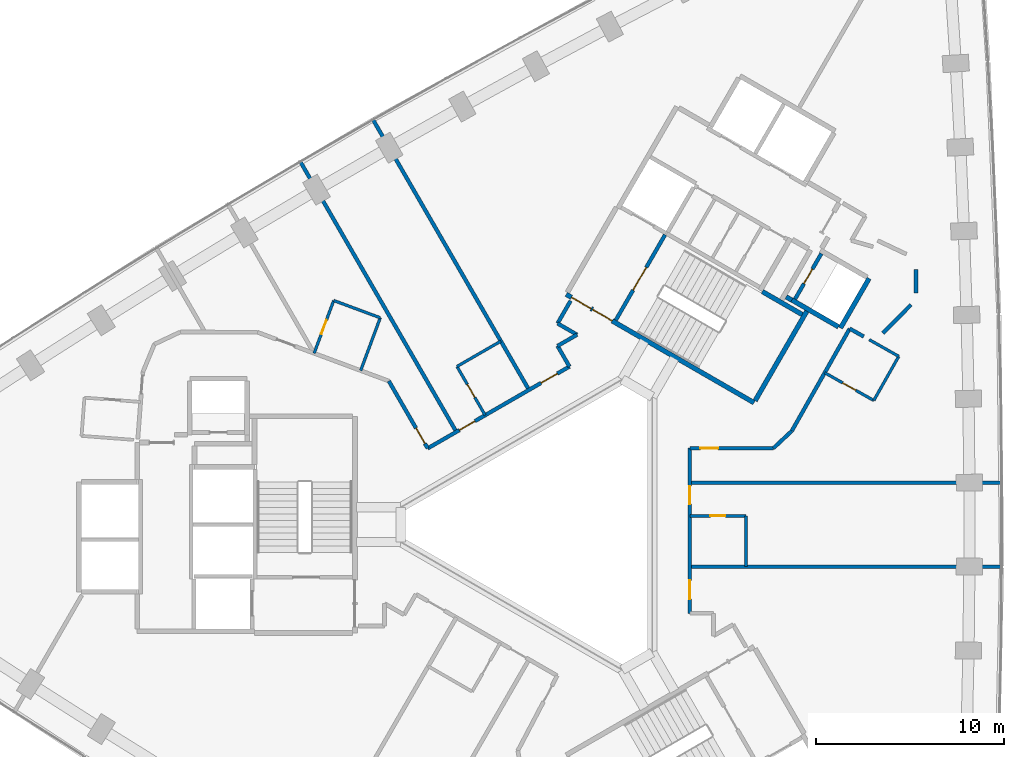
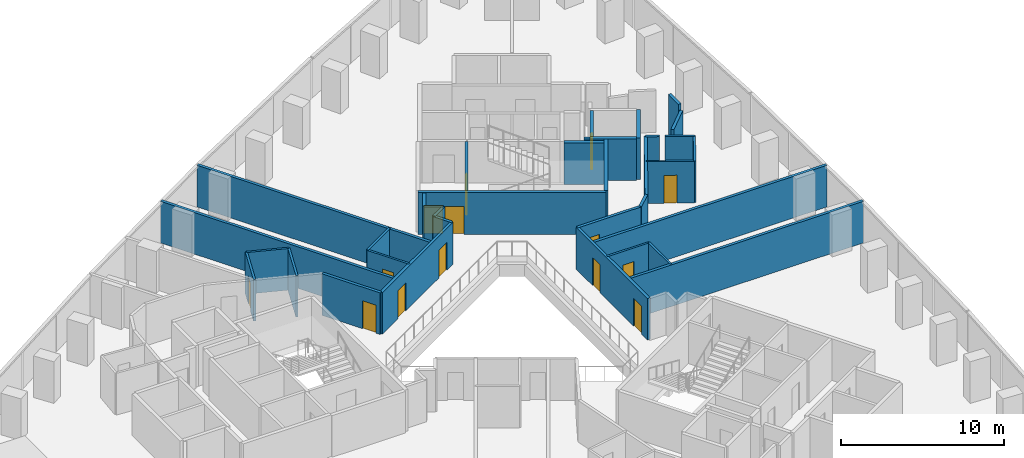
# One storey, part 10 of 13: 35 walls, 14 doors, 14 openings.
"""IFC4 building model written with IfcOpenShell, lengths in metres."""

import ifcopenshell
import ifcopenshell.guid

model = None  # the IFC model being written
_history = None  # IfcOwnerHistory: only IFC2X3 demands one
_inside = {}  # id of a spatial element -> (the spatial element, [elements in it])
_under = {}  # id of a project, library or spatial element -> (it, [spatial elements below it])
_declared = {}  # id of a project -> (the project, [libraries it declares])
_typed = {}  # id of a type object -> (the type object, [elements of that type])
_made_of = {}  # id of a material, layer set ... -> (it, [elements and type objects made of it])


def new_model(schema):
    """Start an empty IFC model of exactly this schema.

    Asked for "IFC4X3", IfcOpenShell would pick the latest addendum, in which some entities
    have other attributes; the version numbers below select the first issue.
    IFC2X3 requires an IfcOwnerHistory on every rooted entity: one is made here for all.
    """
    global model, _history
    if schema == "IFC4X3":
        model = ifcopenshell.file(schema_version=(4, 3, 0, 0))
    else:
        model = ifcopenshell.file(schema=schema)
    _inside.clear()
    _under.clear()
    _declared.clear()
    _typed.clear()
    _made_of.clear()
    _history = None
    if model.schema == "IFC2X3":
        org = make("IfcOrganization", Name="unknown")
        user = make(
            "IfcPersonAndOrganization",
            ThePerson=make("IfcPerson", FamilyName="unknown"),
            TheOrganization=org,
        )
        app = make(
            "IfcApplication",
            ApplicationDeveloper=org,
            Version="unknown",
            ApplicationFullName="unknown",
            ApplicationIdentifier="unknown",
        )
        _history = make(
            "IfcOwnerHistory",
            OwningUser=user,
            OwningApplication=app,
            ChangeAction="ADDED",
            CreationDate=0,
        )
    return model


def make(cls, **values):
    """One entity of the class cls with the attributes given. An attribute that is None is left unset."""
    return model.create_entity(
        cls, **{name: value for name, value in values.items() if value is not None}
    )


def rooted(cls, **values):
    """An entity with a GlobalId (a new one), such as an element, a storey or a relation."""
    return make(cls, GlobalId=ifcopenshell.guid.new(), OwnerHistory=_history, **values)


def si_unit(unit_type, name, prefix=None):
    """IfcSIUnit, for example si_unit("LENGTHUNIT", "METRE", prefix="MILLI")."""
    return make("IfcSIUnit", UnitType=unit_type, Prefix=prefix, Name=name)


def assignment(units):
    """IfcUnitAssignment: the units of a project."""
    return None if units is None else make("IfcUnitAssignment", Units=units)


def point(xyz):
    """IfcCartesianPoint."""
    return None if xyz is None else make("IfcCartesianPoint", Coordinates=xyz)


def direction(xyz):
    """IfcDirection."""
    return None if xyz is None else make("IfcDirection", DirectionRatios=xyz)


def frame(location, z_axis=None, x_axis=None):
    """IfcAxis2Placement3D, a coordinate frame: its origin and axes. An axis left out is left unset."""
    return make(
        "IfcAxis2Placement3D",
        Location=point(location),
        Axis=direction(z_axis),
        RefDirection=direction(x_axis),
    )


def frame_2d(location, x_axis=None):
    """IfcAxis2Placement2D, a coordinate frame in the plane: its origin and x axis."""
    return make(
        "IfcAxis2Placement2D", Location=point(location), RefDirection=direction(x_axis)
    )


def origin():
    """The frame at (0, 0, 0) with its axes left unset."""
    return frame((0.0, 0.0, 0.0))


def place(relative_to, where):
    """IfcLocalPlacement: puts the frame where relative to a parent placement (None: the world)."""
    return make(
        "IfcLocalPlacement", PlacementRelTo=relative_to, RelativePlacement=where
    )


def context(
    kind, dimensions, precision=None, world=None, true_north=None, identifier=None
):
    """IfcGeometricRepresentationContext, for example the 3D "Model" context."""
    return make(
        "IfcGeometricRepresentationContext",
        ContextIdentifier=identifier,
        ContextType=kind,
        CoordinateSpaceDimension=dimensions,
        Precision=precision,
        WorldCoordinateSystem=world,
        TrueNorth=true_north,
    )


def subcontext(parent, identifier, kind, view, scale=None):
    """IfcGeometricRepresentationSubContext, for example "Body" below "Model"."""
    return make(
        "IfcGeometricRepresentationSubContext",
        ContextIdentifier=identifier,
        ContextType=kind,
        ParentContext=parent,
        TargetScale=scale,
        TargetView=view,
    )


def project(units=None, contexts=None):
    """IfcProject with its units and contexts."""
    return rooted(
        "IfcProject",
        Name="project",
        RepresentationContexts=contexts,
        UnitsInContext=assignment(units),
    )


def spatial(cls, under=None, at=None, **own):
    """A site, building, storey or space (cls), placed at a placement, below another one or the project."""
    s = rooted(cls, ObjectPlacement=at, **own)
    if under is not None:
        _under.setdefault(under.id(), (under, []))[1].append(s)
    return s


def profile(cls, at=None, kind="AREA", **sizes):
    """A parametric profile (cls). Its sizes go by their IFC names, for example OverallWidth=200.0."""
    return make(cls, ProfileType=kind, Position=at, **sizes)


def rectangle(**sizes):
    """IfcRectangleProfileDef."""
    return profile("IfcRectangleProfileDef", **sizes)


def extrude(swept, where, along, depth):
    """IfcExtrudedAreaSolid: the profile swept, set in the frame where, extruded along a direction by depth."""
    return make(
        "IfcExtrudedAreaSolid",
        SweptArea=swept,
        Position=where,
        ExtrudedDirection=direction(along),
        Depth=depth,
    )


def shape(context_of_items, identifier, shape_type, items):
    """IfcShapeRepresentation: the items that make up one representation, for example the "Body"."""
    return make(
        "IfcShapeRepresentation",
        ContextOfItems=context_of_items,
        RepresentationIdentifier=identifier,
        RepresentationType=shape_type,
        Items=items,
    )


def material(Name=None, Category=None):
    """IfcMaterial."""
    return make("IfcMaterial", Name=Name, Category=Category)


def layer(
    of_material, thickness, ventilated=None, Name=None, Category=None, Priority=None
):
    """IfcMaterialLayer: one layer of a wall or slab, of a material (None: an air gap)."""
    return make(
        "IfcMaterialLayer",
        Material=of_material,
        LayerThickness=thickness,
        IsVentilated=ventilated,
        Name=Name,
        Category=Category,
        Priority=Priority,
    )


def layer_set(layers, Name=None):
    """IfcMaterialLayerSet."""
    return make("IfcMaterialLayerSet", MaterialLayers=layers, LayerSetName=Name)


def made_of(thing, what):
    """Note that an element or type object is made of a material, layer set ...; save() writes the relation."""
    if what is not None:
        _made_of.setdefault(what.id(), (what, []))[1].append(thing)
    return thing


def type_object(cls, material=None, **own):
    """A type object (cls), such as IfcWallType, which elements share."""
    return made_of(rooted(cls, **own), material)


def element(
    cls,
    number,
    at=None,
    inside=None,
    cuts=None,
    type_object=None,
    material=None,
    context=None,
    identifier="Body",
    shape_type=None,
    held_by="IfcProductDefinitionShape",
    body=None,
    shapes=None,
    **own,
):
    """One element of the class cls, such as IfcWall. Its Tag is "e" and its number.

    at: its placement. inside: the storey or other place that contains it. cuts: it is an
    opening in that element (IfcRelVoidsElement). A single representation is given by context,
    identifier, shape_type and body (its items); several are given by shapes. held_by: the class
    of the entity that holds the representations. save() writes the other relations.
    """
    e = rooted(cls, Tag="e%d" % number, ObjectPlacement=at, **own)
    if body is not None:
        shapes = [shape(context, identifier, shape_type, body)]
    if shapes is not None:
        e.Representation = make(held_by, Representations=shapes)
    if inside is not None:
        _inside.setdefault(inside.id(), (inside, []))[1].append(e)
    if cuts is not None:
        rooted(
            "IfcRelVoidsElement", RelatingBuildingElement=cuts, RelatedOpeningElement=e
        )
    if type_object is not None:
        _typed.setdefault(type_object.id(), (type_object, []))[1].append(e)
    return made_of(e, material)


def fill(opening, filler):
    """IfcRelFillsElement: the door or window that sits in an opening."""
    return rooted(
        "IfcRelFillsElement",
        RelatingOpeningElement=opening,
        RelatedBuildingElement=filler,
    )


def aggregate(whole, parts):
    """IfcRelAggregates: a whole, such as a stair, and the parts it consists of."""
    return rooted("IfcRelAggregates", RelatingObject=whole, RelatedObjects=parts)


def save(model, path):
    """Write the relations noted so far, then the file.

    IfcRelAggregates (storeys below a building ...), IfcRelContainedInSpatialStructure (elements
    in a storey), IfcRelDefinesByType, IfcRelAssociatesMaterial and IfcRelDeclares: one each for
    every whole, place, type object, material and project.
    """
    for whole, parts in _under.values():
        aggregate(whole, parts)
    for where, things in _inside.values():
        rooted(
            "IfcRelContainedInSpatialStructure",
            RelatedElements=things,
            RelatingStructure=where,
        )
    for kind, things in _typed.values():
        rooted("IfcRelDefinesByType", RelatedObjects=things, RelatingType=kind)
    for what, things in _made_of.values():
        rooted("IfcRelAssociatesMaterial", RelatedObjects=things, RelatingMaterial=what)
    for by, libraries in _declared.values():
        rooted("IfcRelDeclares", RelatingContext=by, RelatedDefinitions=libraries)
    model.write(path)


model = new_model("IFC4")

# Units and contexts
model_context = context("Model", 3, precision=1e-05, world=origin(), true_north=direction((0.0, 1.0)))
body_context = subcontext(model_context, "Body", "Model", "MODEL_VIEW")
ifc_project = project(units=[si_unit("LENGTHUNIT", "METRE"), si_unit("AREAUNIT", "SQUARE_METRE"), si_unit("VOLUMEUNIT", "CUBIC_METRE"), si_unit("PLANEANGLEUNIT", "RADIAN"), si_unit("MASSUNIT", "GRAM", prefix="KILO")], contexts=[model_context])

# Site, building, storey
site_placement = place(None, origin())
site = spatial("IfcSite", under=ifc_project, at=site_placement, CompositionType="ELEMENT")
building_placement = place(site_placement, origin())
building = spatial("IfcBuilding", under=site, at=building_placement, Name="Tamra Quay Hotel Tower", CompositionType="ELEMENT")
storey_placement = place(building_placement, frame((0.0, 0.0, 38.60009765625)))
storey = spatial("IfcBuildingStorey", under=building, at=storey_placement, Name="L07", CompositionType="ELEMENT", Elevation=38.60009765625)

# Wall, opening, door
ifc_material_1 = material(Name="Concrete M70", Category="concrete")
ifc_layer_1 = layer(ifc_material_1, 0.199951171875)
ifc_layer_set_1 = layer_set([ifc_layer_1], Name="Concrete M70 core wall 200")
wall_type_1 = type_object("IfcWallType", Name="Concrete M70 core wall 200", PredefinedType="SHEAR", material=ifc_layer_set_1)
wall_1_placement = place(storey_placement, frame((3.056640625, 10.89453125, 0.0), z_axis=(0.0, 0.0, 1.0), x_axis=(0.499989418164, 0.866031513124, 0.0)))
wall_1 = element("IfcWall", 1, at=wall_1_placement, inside=storey, type_object=wall_type_1, Name="CW2", PredefinedType="SHEAR", context=body_context, shape_type="SweptSolid", body=[
    extrude(rectangle(XDim=5.2509765625, YDim=0.199951171875, at=frame_2d((2.62548828125, 0.0))), origin(), (0.0, 0.0, 1.0), 3.125),
])
opening_1_placement = place(wall_1_placement, frame((1.84912109375, 0.0, 0.0)))
opening_1 = element("IfcOpeningElement", 2, at=opening_1_placement, cuts=wall_1, Name="Opening FD2", PredefinedType="OPENING", context=body_context, shape_type="SweptSolid", body=[
    extrude(rectangle(XDim=1.39990234375, YDim=2.10009765625, at=frame_2d((0.699951171875, 1.050048828125))), frame((0.0, 0.10986328125, 0.0), z_axis=(0.0, -1.0, 0.0), x_axis=(1.0, 0.0, 0.0)), (0.0, 0.0, 1.0), 0.219970703125),
])
ifc_material_2 = material(Name="Core door FD2 1400x2100 RH")
door_type_1 = type_object("IfcDoorType", Name="Core door FD2 1400x2100 RH", OperationType="NOTDEFINED", PredefinedType="DOOR", material=ifc_material_2)
door_1_placement = place(opening_1_placement, origin())
door_1 = element("IfcDoor", 3, at=door_1_placement, inside=storey, type_object=door_type_1, Name="FD2", OperationType="SINGLE_SWING_RIGHT", OverallHeight=2.10009765625, OverallWidth=1.39990234375, PredefinedType="DOOR", context=body_context, shape_type="SweptSolid", body=[
    extrude(rectangle(XDim=1.39990234375, YDim=2.10009765625, at=frame_2d((0.699951171875, 1.050048828125))), frame((0.0, 0.02490234375, 0.0), z_axis=(0.0, -1.0, 0.0), x_axis=(1.0, 0.0, 0.0)), (0.0, 0.0, 1.0), 0.050048828125),
])
fill(opening_1, door_1)

wall_2_placement = place(storey_placement, frame((14.0078125, 14.442138671875, 0.0), z_axis=(0.0, 0.0, 1.0), x_axis=(-0.499986818241, -0.866033014143, 0.0)))
wall_2 = element("IfcWall", 4, at=wall_2_placement, inside=storey, type_object=wall_type_1, Name="CW2", PredefinedType="SHEAR", context=body_context, shape_type="SweptSolid", body=[
    extrude(rectangle(XDim=2.7978515625, YDim=0.199951171875, at=frame_2d((1.39892578125, 0.0))), origin(), (0.0, 0.0, 1.0), 3.125),
])
opening_2_placement = place(wall_2_placement, frame((0.948974609375, 0.0, 0.0)))
opening_2 = element("IfcOpeningElement", 5, at=opening_2_placement, cuts=wall_2, Name="Opening D1", PredefinedType="OPENING", context=body_context, shape_type="SweptSolid", body=[
    extrude(rectangle(XDim=0.89990234375, YDim=2.10009765625, at=frame_2d((0.449951171875, 1.050048828125))), frame((0.0, 0.10986328125, 0.0), z_axis=(0.0, -1.0, 0.0), x_axis=(1.0, 0.0, 0.0)), (0.0, 0.0, 1.0), 0.219970703125),
])
ifc_material_3 = material(Name="Core door D1 900x2100 LH")
door_type_2 = type_object("IfcDoorType", Name="Core door D1 900x2100 LH", OperationType="NOTDEFINED", PredefinedType="DOOR", material=ifc_material_3)
door_2_placement = place(opening_2_placement, origin())
door_2 = element("IfcDoor", 6, at=door_2_placement, inside=storey, type_object=door_type_2, Name="D1", OperationType="SINGLE_SWING_LEFT", OverallHeight=2.10009765625, OverallWidth=0.89990234375, PredefinedType="DOOR", context=body_context, shape_type="SweptSolid", body=[
    extrude(rectangle(XDim=0.89990234375, YDim=2.10009765625, at=frame_2d((0.449951171875, 1.050048828125))), frame((0.0, 0.02490234375, 0.0), z_axis=(0.0, -1.0, 0.0), x_axis=(1.0, 0.0, 0.0)), (0.0, 0.0, 1.0), 0.050048828125),
])
fill(opening_2, door_2)

# Wall, openings, doors
ifc_layer_2 = layer(ifc_material_1, 0.25)
ifc_layer_set_2 = layer_set([ifc_layer_2], Name="Concrete M70 core wall 250")
wall_type_2 = type_object("IfcWallType", Name="Concrete M70 core wall 250", PredefinedType="SHEAR", material=ifc_layer_set_2)
wall_3_placement = place(storey_placement, frame((10.419921875, 6.497802734375, 0.0), z_axis=(0.0, 0.0, 1.0), x_axis=(-0.866021906294, 0.500006057782, 0.0)))
wall_3 = element("IfcWall", 7, at=wall_3_placement, inside=storey, type_object=wall_type_2, Name="CW1", PredefinedType="SHEAR", context=body_context, shape_type="SweptSolid", body=[
    extrude(rectangle(XDim=11.550048828125, YDim=0.25, at=frame_2d((5.77490234375, 0.0))), origin(), (0.0, 0.0, 1.0), 3.125),
])
opening_3_placement = place(wall_3_placement, frame((10.02490234375, 0.0, 0.0)))
opening_3 = element("IfcOpeningElement", 8, at=opening_3_placement, cuts=wall_3, Name="Opening FD1", PredefinedType="OPENING", context=body_context, shape_type="SweptSolid", body=[
    extrude(rectangle(XDim=1.199951171875, YDim=2.10009765625, at=frame_2d((0.60009765625, 1.050048828125))), frame((0.0, 0.135009765625, 0.0), z_axis=(0.0, -1.0, 0.0), x_axis=(1.0, 0.0, 0.0)), (0.0, 0.0, 1.0), 0.27001953125),
])
opening_4_placement = place(wall_3_placement, frame((8.724853515625, 0.0, 0.0)))
opening_4 = element("IfcOpeningElement", 9, at=opening_4_placement, cuts=wall_3, Name="Opening FD1", PredefinedType="OPENING", context=body_context, shape_type="SweptSolid", body=[
    extrude(rectangle(XDim=1.199951171875, YDim=2.10009765625, at=frame_2d((0.60009765625, 1.050048828125))), frame((0.0, 0.135009765625, 0.0), z_axis=(0.0, -1.0, 0.0), x_axis=(1.0, 0.0, 0.0)), (0.0, 0.0, 1.0), 0.27001953125),
])
ifc_material_4 = material(Name="Core door FD1 1200x2100 LH")
door_type_3 = type_object("IfcDoorType", Name="Core door FD1 1200x2100 LH", OperationType="NOTDEFINED", PredefinedType="DOOR", material=ifc_material_4)
door_3_placement = place(opening_3_placement, origin())
door_3 = element("IfcDoor", 10, at=door_3_placement, inside=storey, type_object=door_type_3, Name="FD1", OperationType="SINGLE_SWING_LEFT", OverallHeight=2.10009765625, OverallWidth=1.199951171875, PredefinedType="DOOR", context=body_context, shape_type="SweptSolid", body=[
    extrude(rectangle(XDim=1.199951171875, YDim=2.10009765625, at=frame_2d((0.60009765625, 1.050048828125))), frame((0.0, 0.02490234375, 0.0), z_axis=(0.0, -1.0, 0.0), x_axis=(1.0, 0.0, 0.0)), (0.0, 0.0, 1.0), 0.050048828125),
])
fill(opening_3, door_3)
ifc_material_5 = material(Name="Core door FD1 1200x2100 RH")
door_type_4 = type_object("IfcDoorType", Name="Core door FD1 1200x2100 RH", OperationType="NOTDEFINED", PredefinedType="DOOR", material=ifc_material_5)
door_4_placement = place(opening_4_placement, origin())
door_4 = element("IfcDoor", 11, at=door_4_placement, inside=storey, type_object=door_type_4, Name="FD1", OperationType="SINGLE_SWING_RIGHT", OverallHeight=2.10009765625, OverallWidth=1.199951171875, PredefinedType="DOOR", context=body_context, shape_type="SweptSolid", body=[
    extrude(rectangle(XDim=1.199951171875, YDim=2.10009765625, at=frame_2d((0.60009765625, 1.050048828125))), frame((0.0, 0.02490234375, 0.0), z_axis=(0.0, -1.0, 0.0), x_axis=(1.0, 0.0, 0.0)), (0.0, 0.0, 1.0), 0.050048828125),
])
fill(opening_4, door_4)

# Walls
wall_4_placement = place(storey_placement, frame((13.237548828125, 11.3779296875, 0.0), z_axis=(0.0, 0.0, 1.0), x_axis=(-0.500008851346, -0.866020293397, 0.0)))
element("IfcWall", 12, at=wall_4_placement, inside=storey, type_object=wall_type_2, Name="CW1", PredefinedType="SHEAR", context=body_context, shape_type="SweptSolid", body=[
    extrude(rectangle(XDim=5.509765625, YDim=0.25, at=frame_2d((2.7548828125, 0.0))), origin(), (0.0, 0.0, 1.0), 3.125),
])
wall_5_placement = place(storey_placement, frame((16.552001953125, 13.118896484375, 0.0), z_axis=(0.0, 0.0, 1.0), x_axis=(-0.499978833458, -0.866037623948, 0.0)))
element("IfcWall", 13, at=wall_5_placement, inside=storey, type_object=wall_type_2, Name="CW1", PredefinedType="SHEAR", context=body_context, shape_type="SweptSolid", body=[
    extrude(rectangle(XDim=3.050048828125, YDim=0.25, at=frame_2d((1.52490234375, 0.0))), origin(), (0.0, 0.0, 1.0), 3.125),
])
wall_6_placement = place(storey_placement, frame((14.91845703125, 10.540283203125, 0.0), z_axis=(0.0, 0.0, 1.0), x_axis=(-0.866063538972, 0.499933942099, 0.0)))
element("IfcWall", 14, at=wall_6_placement, inside=storey, type_object=wall_type_2, Name="CW1", PredefinedType="SHEAR", context=body_context, shape_type="SweptSolid", body=[
    extrude(rectangle(XDim=2.86474609375, YDim=0.25, at=frame_2d((1.432373046875, 0.0))), origin(), (0.0, 0.0, 1.0), 3.125),
])
wall_7_placement = place(storey_placement, frame((10.865234375, 12.41845703125, 0.0), z_axis=(0.0, 0.0, 1.0), x_axis=(0.866026229868, -0.499998569178, 0.0)))
element("IfcWall", 15, at=wall_7_placement, inside=storey, type_object=wall_type_2, Name="CW1", PredefinedType="SHEAR", context=body_context, shape_type="SweptSolid", body=[
    extrude(rectangle(XDim=2.44921875, YDim=0.25, at=frame_2d((1.224609375, 0.0))), origin(), (0.0, 0.0, 1.0), 3.125),
])
wall_8_placement = place(storey_placement, frame((12.4326171875, 11.9638671875, 0.0), z_axis=(0.0, 0.0, 1.0), x_axis=(-0.866055875208, 0.499947218231, 0.0)))
element("IfcWall", 16, at=wall_8_placement, inside=storey, type_object=wall_type_2, Name="CW1", PredefinedType="SHEAR", context=body_context, shape_type="SweptSolid", body=[
    extrude(rectangle(XDim=0.3447265625, YDim=0.25, at=frame_2d((0.17236328125, 0.0))), origin(), (0.0, 0.0, 1.0), 3.125),
])

# Wall, opening, door
ifc_material_6 = material(Name="Partition corridor wall")
ifc_layer_3 = layer(ifc_material_6, 0.199951171875)
ifc_layer_set_3 = layer_set([ifc_layer_3], Name="Partition corridor wall")
wall_type_3 = type_object("IfcWallType", Name="Partition corridor wall", PredefinedType="PARTITIONING", material=ifc_layer_set_3)
wall_9_placement = place(storey_placement, frame((-9.032958984375, 7.652099609375, 0.0), z_axis=(0.0, 0.0, 1.0), x_axis=(0.500074377092, -0.865982457891, 0.0)))
wall_9 = element("IfcWall", 17, at=wall_9_placement, inside=storey, type_object=wall_type_3, Name="W-C", PredefinedType="PARTITIONING", context=body_context, shape_type="SweptSolid", body=[
    extrude(rectangle(XDim=4.143310546875, YDim=0.199951171875, at=frame_2d((2.07177734375, 0.0))), origin(), (0.0, 0.0, 1.0), 3.125),
])
opening_5_placement = place(wall_9_placement, frame((2.895263671875, 0.0, 0.0)))
opening_5 = element("IfcOpeningElement", 18, at=opening_5_placement, cuts=wall_9, Name="Opening L07-D009", PredefinedType="OPENING", context=body_context, shape_type="SweptSolid", body=[
    extrude(rectangle(XDim=0.949951171875, YDim=2.10009765625, at=frame_2d((0.47509765625, 1.050048828125))), frame((0.0, 0.10986328125, 0.0), z_axis=(0.0, -1.0, 0.0), x_axis=(1.0, 0.0, 0.0)), (0.0, 0.0, 1.0), 0.219970703125),
])
ifc_material_7 = material(Name="Door guest room 950x2100")
door_type_5 = type_object("IfcDoorType", Name="Door guest room 950x2100", OperationType="NOTDEFINED", PredefinedType="DOOR", material=ifc_material_7)
door_5_placement = place(opening_5_placement, frame((0.949951171875, 0.0, 0.0), z_axis=(0.0, 0.0, 1.0), x_axis=(-1.0, 0.0, 0.0)))
door_5 = element("IfcDoor", 19, at=door_5_placement, inside=storey, type_object=door_type_5, Name="L07-D009", OperationType="SINGLE_SWING_LEFT", OverallHeight=2.10009765625, OverallWidth=0.949951171875, PredefinedType="DOOR", context=body_context, shape_type="SweptSolid", body=[
    extrude(rectangle(XDim=0.949951171875, YDim=2.10009765625, at=frame_2d((0.47509765625, 1.050048828125))), frame((0.0, 0.02490234375, 0.0), z_axis=(0.0, -1.0, 0.0), x_axis=(1.0, 0.0, 0.0)), (0.0, 0.0, 1.0), 0.050048828125),
])
fill(opening_5, door_5)

# Wall, openings, doors
wall_10_placement = place(storey_placement, frame((-6.961669921875, 4.06494140625, 0.0), z_axis=(0.0, 0.0, 1.0), x_axis=(0.866089531713, 0.499888910716, 0.0)))
wall_10 = element("IfcWall", 20, at=wall_10_placement, inside=storey, type_object=wall_type_3, Name="W-C", PredefinedType="PARTITIONING", context=body_context, shape_type="SweptSolid", body=[
    extrude(rectangle(XDim=8.71826171875, YDim=0.199951171875, at=frame_2d((4.359130859375, 0.0))), origin(), (0.0, 0.0, 1.0), 3.125),
])
opening_6_placement = place(wall_10_placement, frame((6.96875, 0.0, 0.0)))
opening_6 = element("IfcOpeningElement", 21, at=opening_6_placement, cuts=wall_10, Name="Opening L07-D006", PredefinedType="OPENING", context=body_context, shape_type="SweptSolid", body=[
    extrude(rectangle(XDim=1.0, YDim=2.10009765625, at=frame_2d((0.5, 1.050048828125))), frame((0.0, 0.10986328125, 0.0), z_axis=(0.0, -1.0, 0.0), x_axis=(1.0, 0.0, 0.0)), (0.0, 0.0, 1.0), 0.219970703125),
])
opening_7_placement = place(wall_10_placement, frame((1.949462890625, 0.0, 0.0)))
opening_7 = element("IfcOpeningElement", 22, at=opening_7_placement, cuts=wall_10, Name="Opening L07-D007", PredefinedType="OPENING", context=body_context, shape_type="SweptSolid", body=[
    extrude(rectangle(XDim=0.949951171875, YDim=2.10009765625, at=frame_2d((0.47509765625, 1.050048828125))), frame((0.0, 0.10986328125, 0.0), z_axis=(0.0, -1.0, 0.0), x_axis=(1.0, 0.0, 0.0)), (0.0, 0.0, 1.0), 0.219970703125),
])
ifc_material_8 = material(Name="Door guest room 1000x2100")
door_type_6 = type_object("IfcDoorType", Name="Door guest room 1000x2100", OperationType="NOTDEFINED", PredefinedType="DOOR", material=ifc_material_8)
door_6_placement = place(opening_6_placement, origin())
door_6 = element("IfcDoor", 23, at=door_6_placement, inside=storey, type_object=door_type_6, Name="L07-D006", OperationType="SINGLE_SWING_LEFT", OverallHeight=2.10009765625, OverallWidth=1.0, PredefinedType="DOOR", context=body_context, shape_type="SweptSolid", body=[
    extrude(rectangle(XDim=1.0, YDim=2.10009765625, at=frame_2d((0.5, 1.050048828125))), frame((0.0, 0.02490234375, 0.0), z_axis=(0.0, -1.0, 0.0), x_axis=(1.0, 0.0, 0.0)), (0.0, 0.0, 1.0), 0.050048828125),
])
fill(opening_6, door_6)
door_7_placement = place(opening_7_placement, origin())
door_7 = element("IfcDoor", 24, at=door_7_placement, inside=storey, type_object=door_type_5, Name="L07-D007", OperationType="SINGLE_SWING_LEFT", OverallHeight=2.10009765625, OverallWidth=0.949951171875, PredefinedType="DOOR", context=body_context, shape_type="SweptSolid", body=[
    extrude(rectangle(XDim=0.949951171875, YDim=2.10009765625, at=frame_2d((0.47509765625, 1.050048828125))), frame((0.0, 0.02490234375, 0.0), z_axis=(0.0, -1.0, 0.0), x_axis=(1.0, 0.0, 0.0)), (0.0, 0.0, 1.0), 0.050048828125),
])
fill(opening_7, door_7)

# Walls
wall_11_placement = place(storey_placement, frame((-0.044921875, 9.52197265625, 0.0), z_axis=(0.0, 0.0, 1.0), x_axis=(0.86625675314, 0.499599076899, 0.0)))
element("IfcWall", 25, at=wall_11_placement, inside=storey, type_object=wall_type_3, Name="W-C", PredefinedType="PARTITIONING", context=body_context, shape_type="SweptSolid", body=[
    extrude(rectangle(XDim=1.19921875, YDim=0.199951171875, at=frame_2d((0.599609375, 0.0))), origin(), (0.0, 0.0, 1.0), 3.125),
])
wall_12_placement = place(storey_placement, frame((-0.044921875, 10.721923828125, 0.0), z_axis=(0.0, 0.0, 1.0), x_axis=(0.500107785535, 0.865963164833, 0.0)))
element("IfcWall", 26, at=wall_12_placement, inside=storey, type_object=wall_type_3, Name="W-C", PredefinedType="PARTITIONING", context=body_context, shape_type="SweptSolid", body=[
    extrude(rectangle(XDim=1.389404296875, YDim=0.199951171875, at=frame_2d((0.69482421875, 0.0))), origin(), (0.0, 0.0, 1.0), 3.125),
])
wall_13_placement = place(storey_placement, frame((-0.044921875, 9.52099609375, 0.0), z_axis=(0.0, 0.0, 1.0), x_axis=(0.500094716449, -0.865970712311, 0.0)))
element("IfcWall", 27, at=wall_13_placement, inside=storey, type_object=wall_type_3, Name="W-C", PredefinedType="PARTITIONING", context=body_context, shape_type="SweptSolid", body=[
    extrude(rectangle(XDim=1.267822265625, YDim=0.199951171875, at=frame_2d((0.6337890625, 0.0))), origin(), (0.0, 0.0, 1.0), 3.125),
])
wall_14_placement = place(storey_placement, frame((-0.044921875, 10.720947265625, 0.0), z_axis=(0.0, 0.0, 1.0), x_axis=(0.865992388649, -0.500057179532, 0.0)))
element("IfcWall", 28, at=wall_14_placement, inside=storey, type_object=wall_type_3, Name="W-C", PredefinedType="PARTITIONING", context=body_context, shape_type="SweptSolid", body=[
    extrude(rectangle(XDim=1.199462890625, YDim=0.199951171875, at=frame_2d((0.599609375, 0.0))), origin(), (0.0, 0.0, 1.0), 3.125),
])

# Wall, openings, doors
wall_15_placement = place(storey_placement, frame((7.0, -4.720947265625, 0.0), z_axis=(0.0, 0.0, 1.0), x_axis=(0.0, 1.0, 0.0)))
wall_15 = element("IfcWall", 29, at=wall_15_placement, inside=storey, type_object=wall_type_3, Name="W-C", PredefinedType="PARTITIONING", context=body_context, shape_type="SweptSolid", body=[
    extrude(rectangle(XDim=8.798828125, YDim=0.199951171875, at=frame_2d((4.3994140625, 0.0))), origin(), (0.0, 0.0, 1.0), 3.125),
])
opening_8_placement = place(wall_15_placement, frame((0.7490234375, 0.0, 0.0)))
opening_8 = element("IfcOpeningElement", 30, at=opening_8_placement, cuts=wall_15, Name="Opening L07-D001", PredefinedType="OPENING", context=body_context, shape_type="SweptSolid", body=[
    extrude(rectangle(XDim=1.0, YDim=2.10009765625, at=frame_2d((0.5, 1.050048828125))), frame((0.0, 0.10986328125, 0.0), z_axis=(0.0, -1.0, 0.0), x_axis=(1.0, 0.0, 0.0)), (0.0, 0.0, 1.0), 0.219970703125),
])
opening_9_placement = place(wall_15_placement, frame((5.818115234375, 0.0, 0.0)))
opening_9 = element("IfcOpeningElement", 31, at=opening_9_placement, cuts=wall_15, Name="Opening L07-D002", PredefinedType="OPENING", context=body_context, shape_type="SweptSolid", body=[
    extrude(rectangle(XDim=0.949951171875, YDim=2.10009765625, at=frame_2d((0.47509765625, 1.050048828125))), frame((0.0, 0.10986328125, 0.0), z_axis=(0.0, -1.0, 0.0), x_axis=(1.0, 0.0, 0.0)), (0.0, 0.0, 1.0), 0.219970703125),
])
door_8_placement = place(opening_8_placement, frame((1.0, 0.0, 0.0), z_axis=(0.0, 0.0, 1.0), x_axis=(-1.0, 0.0, 0.0)))
door_8 = element("IfcDoor", 32, at=door_8_placement, inside=storey, type_object=door_type_6, Name="L07-D001", OperationType="SINGLE_SWING_LEFT", OverallHeight=2.10009765625, OverallWidth=1.0, PredefinedType="DOOR", context=body_context, shape_type="SweptSolid", body=[
    extrude(rectangle(XDim=1.0, YDim=2.10009765625, at=frame_2d((0.5, 1.050048828125))), frame((0.0, 0.02490234375, 0.0), z_axis=(0.0, -1.0, 0.0), x_axis=(1.0, 0.0, 0.0)), (0.0, 0.0, 1.0), 0.050048828125),
])
fill(opening_8, door_8)
door_9_placement = place(opening_9_placement, frame((0.949951171875, 0.0, 0.0), z_axis=(0.0, 0.0, 1.0), x_axis=(-1.0, 0.0, 0.0)))
door_9 = element("IfcDoor", 33, at=door_9_placement, inside=storey, type_object=door_type_5, Name="L07-D002", OperationType="SINGLE_SWING_LEFT", OverallHeight=2.10009765625, OverallWidth=0.949951171875, PredefinedType="DOOR", context=body_context, shape_type="SweptSolid", body=[
    extrude(rectangle(XDim=0.949951171875, YDim=2.10009765625, at=frame_2d((0.47509765625, 1.050048828125))), frame((0.0, 0.02490234375, 0.0), z_axis=(0.0, -1.0, 0.0), x_axis=(1.0, 0.0, 0.0)), (0.0, 0.0, 1.0), 0.050048828125),
])
fill(opening_9, door_9)

# Wall, opening, door
wall_16_placement = place(storey_placement, frame((7.0, 4.077880859375, 0.0), z_axis=(0.0, 0.0, 1.0), x_axis=(1.0, 0.0, 0.0)))
wall_16 = element("IfcWall", 34, at=wall_16_placement, inside=storey, type_object=wall_type_3, Name="W-C", PredefinedType="PARTITIONING", context=body_context, shape_type="SweptSolid", body=[
    extrude(rectangle(XDim=4.4580078125, YDim=0.199951171875, at=frame_2d((2.22900390625, 0.0))), origin(), (0.0, 0.0, 1.0), 3.125),
])
opening_10_placement = place(wall_16_placement, frame((0.55810546875, 0.0, 0.0)))
opening_10 = element("IfcOpeningElement", 35, at=opening_10_placement, cuts=wall_16, Name="Opening L07-D004", PredefinedType="OPENING", context=body_context, shape_type="SweptSolid", body=[
    extrude(rectangle(XDim=0.949951171875, YDim=2.10009765625, at=frame_2d((0.47509765625, 1.050048828125))), frame((0.0, 0.10986328125, 0.0), z_axis=(0.0, -1.0, 0.0), x_axis=(1.0, 0.0, 0.0)), (0.0, 0.0, 1.0), 0.219970703125),
])
door_10_placement = place(opening_10_placement, origin())
door_10 = element("IfcDoor", 36, at=door_10_placement, inside=storey, type_object=door_type_5, Name="L07-D004", OperationType="SINGLE_SWING_LEFT", OverallHeight=2.10009765625, OverallWidth=0.949951171875, PredefinedType="DOOR", context=body_context, shape_type="SweptSolid", body=[
    extrude(rectangle(XDim=0.949951171875, YDim=2.10009765625, at=frame_2d((0.47509765625, 1.050048828125))), frame((0.0, 0.02490234375, 0.0), z_axis=(0.0, -1.0, 0.0), x_axis=(1.0, 0.0, 0.0)), (0.0, 0.0, 1.0), 0.050048828125),
])
fill(opening_10, door_10)

# Walls
wall_17_placement = place(storey_placement, frame((11.4580078125, 4.077880859375, 0.0), z_axis=(0.0, 0.0, 1.0), x_axis=(0.729936032318, 0.683515463412, 0.0)))
element("IfcWall", 37, at=wall_17_placement, inside=storey, type_object=wall_type_3, Name="W-C", PredefinedType="PARTITIONING", context=body_context, shape_type="SweptSolid", body=[
    extrude(rectangle(XDim=1.3359375, YDim=0.199951171875, at=frame_2d((0.66796875, 0.0))), origin(), (0.0, 0.0, 1.0), 3.125),
])
wall_18_placement = place(storey_placement, frame((12.43310546875, 4.991943359375, 0.0), z_axis=(0.0, 0.0, 1.0), x_axis=(0.492575945335, 0.870269462912, 0.0)))
element("IfcWall", 38, at=wall_18_placement, inside=storey, type_object=wall_type_3, Name="W-C", PredefinedType="PARTITIONING", context=body_context, shape_type="SweptSolid", body=[
    extrude(rectangle(XDim=6.264892578125, YDim=0.199951171875, at=frame_2d((3.13232421875, 0.0))), origin(), (0.0, 0.0, 1.0), 3.125),
])
wall_19_placement = place(storey_placement, frame((15.51904296875, 10.444091796875, 0.0), z_axis=(0.0, 0.0, 1.0), x_axis=(0.870222202109, -0.492659435063, 0.0)))
element("IfcWall", 39, at=wall_19_placement, inside=storey, type_object=wall_type_3, Name="W-C", PredefinedType="PARTITIONING", context=body_context, shape_type="SweptSolid", body=[
    extrude(rectangle(XDim=0.854736328125, YDim=0.199951171875, at=frame_2d((0.42724609375, 0.0))), origin(), (0.0, 0.0, 1.0), 3.125),
])
wall_20_placement = place(storey_placement, frame((17.287109375, 10.212890625, 0.0), z_axis=(0.0, 0.0, 1.0), x_axis=(0.706819117262, 0.707394328132, 0.0)))
element("IfcWall", 40, at=wall_20_placement, inside=storey, type_object=wall_type_3, Name="W-C", PredefinedType="PARTITIONING", context=body_context, shape_type="SweptSolid", body=[
    extrude(rectangle(XDim=2.1220703125, YDim=0.199951171875, at=frame_2d((1.06103515625, 0.0))), origin(), (0.0, 0.0, 1.0), 3.125),
])
wall_21_placement = place(storey_placement, frame((19.050048828125, 12.34912109375, 0.0), z_axis=(0.0, 0.0, 1.0), x_axis=(0.0, 1.0, 0.0)))
element("IfcWall", 41, at=wall_21_placement, inside=storey, type_object=wall_type_3, Name="W-C", PredefinedType="PARTITIONING", context=body_context, shape_type="SweptSolid", body=[
    extrude(rectangle(XDim=1.25, YDim=0.199951171875, at=frame_2d((0.625, 0.0))), origin(), (0.0, 0.0, 1.0), 3.125),
])

# Wall, opening, door
ifc_material_9 = material(Name="Partition en-suite wall")
ifc_layer_4 = layer(ifc_material_9, 0.14990234375)
ifc_layer_set_4 = layer_set([ifc_layer_4], Name="Partition en-suite wall")
wall_type_4 = type_object("IfcWallType", Name="Partition en-suite wall", PredefinedType="PARTITIONING", material=ifc_layer_set_4)
wall_22_placement = place(storey_placement, frame((-13.012939453125, 9.12890625, 0.0), z_axis=(0.0, 0.0, 1.0), x_axis=(0.347929104424, 0.937520846859, 0.0)))
wall_22 = element("IfcWall", 42, at=wall_22_placement, inside=storey, type_object=wall_type_4, Name="W-E", PredefinedType="PARTITIONING", context=body_context, shape_type="SweptSolid", body=[
    extrude(rectangle(XDim=3.00048828125, YDim=0.14990234375, at=frame_2d((1.500244140625, 0.0))), origin(), (0.0, 0.0, 1.0), 3.125),
])
opening_11_placement = place(wall_22_placement, frame((1.10009765625, 0.0, 0.0)))
opening_11 = element("IfcOpeningElement", 43, at=opening_11_placement, cuts=wall_22, Name="Opening L07-D010", PredefinedType="OPENING", context=body_context, shape_type="SweptSolid", body=[
    extrude(rectangle(XDim=0.800048828125, YDim=2.10009765625, at=frame_2d((0.39990234375, 1.050048828125))), frame((0.0, 0.0849609375, 0.0), z_axis=(0.0, -1.0, 0.0), x_axis=(1.0, 0.0, 0.0)), (0.0, 0.0, 1.0), 0.169921875),
])
ifc_material_10 = material(Name="Door en-suite 800x2100")
door_type_7 = type_object("IfcDoorType", Name="Door en-suite 800x2100", OperationType="NOTDEFINED", PredefinedType="DOOR", material=ifc_material_10)
door_11_placement = place(opening_11_placement, origin())
door_11 = element("IfcDoor", 44, at=door_11_placement, inside=storey, type_object=door_type_7, Name="L07-D010", OperationType="SINGLE_SWING_LEFT", OverallHeight=2.10009765625, OverallWidth=0.800048828125, PredefinedType="DOOR", context=body_context, shape_type="SweptSolid", body=[
    extrude(rectangle(XDim=0.800048828125, YDim=2.10009765625, at=frame_2d((0.39990234375, 1.050048828125))), frame((0.0, 0.02490234375, 0.0), z_axis=(0.0, -1.0, 0.0), x_axis=(1.0, 0.0, 0.0)), (0.0, 0.0, 1.0), 0.050048828125),
])
fill(opening_11, door_11)

# Walls
wall_23_placement = place(storey_placement, frame((-11.968994140625, 11.94189453125, 0.0), z_axis=(0.0, 0.0, 1.0), x_axis=(0.93745453053, -0.348107746521, 0.0)))
element("IfcWall", 45, at=wall_23_placement, inside=storey, type_object=wall_type_4, Name="W-E", PredefinedType="PARTITIONING", context=body_context, shape_type="SweptSolid", body=[
    extrude(rectangle(XDim=2.6455078125, YDim=0.14990234375, at=frame_2d((1.32275390625, 0.0))), origin(), (0.0, 0.0, 1.0), 3.125),
])
wall_24_placement = place(storey_placement, frame((-10.532958984375, 8.208984375, 0.0), z_axis=(0.0, 0.0, 1.0), x_axis=(0.348035300423, 0.937481428968, 0.0)))
element("IfcWall", 46, at=wall_24_placement, inside=storey, type_object=wall_type_4, Name="W-E", PredefinedType="PARTITIONING", context=body_context, shape_type="SweptSolid", body=[
    extrude(rectangle(XDim=2.99951171875, YDim=0.14990234375, at=frame_2d((1.499755859375, 0.0))), origin(), (0.0, 0.0, 1.0), 3.125),
])
wall_25_placement = place(storey_placement, frame((-5.402099609375, 8.427978515625, 0.0), z_axis=(0.0, 0.0, 1.0), x_axis=(0.86599734893, 0.500048589285, 0.0)))
element("IfcWall", 47, at=wall_25_placement, inside=storey, type_object=wall_type_4, Name="W-E", PredefinedType="PARTITIONING", context=body_context, shape_type="SweptSolid", body=[
    extrude(rectangle(XDim=2.699951171875, YDim=0.14990234375, at=frame_2d((1.35009765625, 0.0))), origin(), (0.0, 0.0, 1.0), 3.125),
])

# Wall, opening, door
wall_26_placement = place(storey_placement, frame((-5.402099609375, 8.427978515625, 0.0), z_axis=(0.0, 0.0, 1.0), x_axis=(0.50002537861, -0.866010750942, 0.0)))
wall_26 = element("IfcWall", 48, at=wall_26_placement, inside=storey, type_object=wall_type_4, Name="W-E", PredefinedType="PARTITIONING", context=body_context, shape_type="SweptSolid", body=[
    extrude(rectangle(XDim=2.999755859375, YDim=0.14990234375, at=frame_2d((1.5, 0.0))), origin(), (0.0, 0.0, 1.0), 3.125),
])
opening_12_placement = place(wall_26_placement, frame((1.099609375, 0.0, 0.0)))
opening_12 = element("IfcOpeningElement", 49, at=opening_12_placement, cuts=wall_26, Name="Opening L07-D008", PredefinedType="OPENING", context=body_context, shape_type="SweptSolid", body=[
    extrude(rectangle(XDim=0.800048828125, YDim=2.10009765625, at=frame_2d((0.39990234375, 1.050048828125))), frame((0.0, 0.0849609375, 0.0), z_axis=(0.0, -1.0, 0.0), x_axis=(1.0, 0.0, 0.0)), (0.0, 0.0, 1.0), 0.169921875),
])
door_12_placement = place(opening_12_placement, origin())
door_12 = element("IfcDoor", 50, at=door_12_placement, inside=storey, type_object=door_type_7, Name="L07-D008", OperationType="SINGLE_SWING_LEFT", OverallHeight=2.10009765625, OverallWidth=0.800048828125, PredefinedType="DOOR", context=body_context, shape_type="SweptSolid", body=[
    extrude(rectangle(XDim=0.800048828125, YDim=2.10009765625, at=frame_2d((0.39990234375, 1.050048828125))), frame((0.0, 0.02490234375, 0.0), z_axis=(0.0, -1.0, 0.0), x_axis=(1.0, 0.0, 0.0)), (0.0, 0.0, 1.0), 0.050048828125),
])
fill(opening_12, door_12)

wall_27_placement = place(storey_placement, frame((7.0, 0.465087890625, 0.0), z_axis=(0.0, 0.0, 1.0), x_axis=(1.0, 0.0, 0.0)))
wall_27 = element("IfcWall", 51, at=wall_27_placement, inside=storey, type_object=wall_type_4, Name="W-E", PredefinedType="PARTITIONING", context=body_context, shape_type="SweptSolid", body=[
    extrude(rectangle(XDim=3.0, YDim=0.14990234375, at=frame_2d((1.5, 0.0))), origin(), (0.0, 0.0, 1.0), 3.125),
])
opening_13_placement = place(wall_27_placement, frame((1.10009765625, 0.0, 0.0)))
opening_13 = element("IfcOpeningElement", 52, at=opening_13_placement, cuts=wall_27, Name="Opening L07-D003", PredefinedType="OPENING", context=body_context, shape_type="SweptSolid", body=[
    extrude(rectangle(XDim=0.800048828125, YDim=2.10009765625, at=frame_2d((0.39990234375, 1.050048828125))), frame((0.0, 0.0849609375, 0.0), z_axis=(0.0, -1.0, 0.0), x_axis=(1.0, 0.0, 0.0)), (0.0, 0.0, 1.0), 0.169921875),
])
door_13_placement = place(opening_13_placement, frame((0.800048828125, 0.0, 0.0), z_axis=(0.0, 0.0, 1.0), x_axis=(-1.0, 0.0, 0.0)))
door_13 = element("IfcDoor", 53, at=door_13_placement, inside=storey, type_object=door_type_7, Name="L07-D003", OperationType="SINGLE_SWING_LEFT", OverallHeight=2.10009765625, OverallWidth=0.800048828125, PredefinedType="DOOR", context=body_context, shape_type="SweptSolid", body=[
    extrude(rectangle(XDim=0.800048828125, YDim=2.10009765625, at=frame_2d((0.39990234375, 1.050048828125))), frame((0.0, 0.02490234375, 0.0), z_axis=(0.0, -1.0, 0.0), x_axis=(1.0, 0.0, 0.0)), (0.0, 0.0, 1.0), 0.050048828125),
])
fill(opening_13, door_13)

# Wall
wall_28_placement = place(storey_placement, frame((10.0, -2.235107421875, 0.0), z_axis=(0.0, 0.0, 1.0), x_axis=(0.0, 1.0, 0.0)))
element("IfcWall", 54, at=wall_28_placement, inside=storey, type_object=wall_type_4, Name="W-E", PredefinedType="PARTITIONING", context=body_context, shape_type="SweptSolid", body=[
    extrude(rectangle(XDim=2.7001953125, YDim=0.14990234375, at=frame_2d((1.35009765625, 0.0))), origin(), (0.0, 0.0, 1.0), 3.125),
])

# Wall, opening, door
wall_29_placement = place(storey_placement, frame((14.18994140625, 8.093994140625, 0.0), z_axis=(0.0, 0.0, 1.0), x_axis=(0.870230508541, -0.492644762485, 0.0)))
wall_29 = element("IfcWall", 55, at=wall_29_placement, inside=storey, type_object=wall_type_4, Name="W-E", PredefinedType="PARTITIONING", context=body_context, shape_type="SweptSolid", body=[
    extrude(rectangle(XDim=2.998291015625, YDim=0.14990234375, at=frame_2d((1.4990234375, 0.0))), origin(), (0.0, 0.0, 1.0), 3.125),
])
opening_14_placement = place(wall_29_placement, frame((1.099609375, 0.0, 0.0)))
opening_14 = element("IfcOpeningElement", 56, at=opening_14_placement, cuts=wall_29, Name="Opening L07-D005", PredefinedType="OPENING", context=body_context, shape_type="SweptSolid", body=[
    extrude(rectangle(XDim=0.800048828125, YDim=2.10009765625, at=frame_2d((0.39990234375, 1.050048828125))), frame((0.0, 0.0849609375, 0.0), z_axis=(0.0, -1.0, 0.0), x_axis=(1.0, 0.0, 0.0)), (0.0, 0.0, 1.0), 0.169921875),
])
door_14_placement = place(opening_14_placement, origin())
door_14 = element("IfcDoor", 57, at=door_14_placement, inside=storey, type_object=door_type_7, Name="L07-D005", OperationType="SINGLE_SWING_LEFT", OverallHeight=2.10009765625, OverallWidth=0.800048828125, PredefinedType="DOOR", context=body_context, shape_type="SweptSolid", body=[
    extrude(rectangle(XDim=0.800048828125, YDim=2.10009765625, at=frame_2d((0.39990234375, 1.050048828125))), frame((0.0, 0.02490234375, 0.0), z_axis=(0.0, -1.0, 0.0), x_axis=(1.0, 0.0, 0.0)), (0.0, 0.0, 1.0), 0.050048828125),
])
fill(opening_14, door_14)

# Walls
wall_30_placement = place(storey_placement, frame((16.560546875, 9.854736328125, 0.0), z_axis=(0.0, 0.0, 1.0), x_axis=(0.870471857485, -0.49221818874, 0.0)))
element("IfcWall", 58, at=wall_30_placement, inside=storey, type_object=wall_type_4, Name="W-E", PredefinedType="PARTITIONING", context=body_context, shape_type="SweptSolid", body=[
    extrude(rectangle(XDim=1.799560546875, YDim=0.14990234375, at=frame_2d((0.89990234375, 0.0))), origin(), (0.0, 0.0, 1.0), 3.125),
])
wall_31_placement = place(storey_placement, frame((16.803955078125, 6.6201171875, 0.0), z_axis=(0.0, 0.0, 1.0), x_axis=(0.49235595286, 0.870393942812, 0.0)))
element("IfcWall", 59, at=wall_31_placement, inside=storey, type_object=wall_type_4, Name="W-E", PredefinedType="PARTITIONING", context=body_context, shape_type="SweptSolid", body=[
    extrude(rectangle(XDim=2.693115234375, YDim=0.14990234375, at=frame_2d((1.3466796875, 0.0))), origin(), (0.0, 0.0, 1.0), 3.125),
])
ifc_material_11 = material(Name="Partition party wall")
ifc_layer_5 = layer(ifc_material_11, 0.199951171875)
ifc_layer_set_5 = layer_set([ifc_layer_5], Name="Partition party wall")
wall_type_5 = type_object("IfcWallType", Name="Partition party wall", PredefinedType="PARTITIONING", material=ifc_layer_set_5)
wall_32_placement = place(storey_placement, frame((-13.74267578125, 19.33203125, 0.0), z_axis=(0.0, 0.0, 1.0), x_axis=(0.500014614896, -0.866016965706, 0.0)))
element("IfcWall", 60, at=wall_32_placement, inside=storey, type_object=wall_type_5, Name="W-P", PredefinedType="PARTITIONING", context=body_context, shape_type="SweptSolid", body=[
    extrude(rectangle(XDim=16.61279296875, YDim=0.199951171875, at=frame_2d((8.306396484375, 0.0))), origin(), (0.0, 0.0, 1.0), 3.125),
])
wall_33_placement = place(storey_placement, frame((-9.870849609375, 21.5673828125, 0.0), z_axis=(0.0, 0.0, 1.0), x_axis=(0.499964615304, -0.866045832184, 0.0)))
element("IfcWall", 61, at=wall_33_placement, inside=storey, type_object=wall_type_5, Name="W-P", PredefinedType="PARTITIONING", context=body_context, shape_type="SweptSolid", body=[
    extrude(rectangle(XDim=16.610595703125, YDim=0.199951171875, at=frame_2d((8.30517578125, 0.0))), origin(), (0.0, 0.0, 1.0), 3.125),
])
wall_34_placement = place(storey_placement, frame((7.0, 2.235107421875, 0.0), z_axis=(0.0, 0.0, 1.0), x_axis=(1.0, 0.0, 0.0)))
element("IfcWall", 62, at=wall_34_placement, inside=storey, type_object=wall_type_5, Name="W-P", PredefinedType="PARTITIONING", context=body_context, shape_type="SweptSolid", body=[
    extrude(rectangle(XDim=16.61328125, YDim=0.199951171875, at=frame_2d((8.306640625, 0.0))), origin(), (0.0, 0.0, 1.0), 3.125),
])
wall_35_placement = place(storey_placement, frame((7.0009765625, -2.235107421875, 0.0), z_axis=(0.0, 0.0, 1.0), x_axis=(1.0, 0.0, 0.0)))
element("IfcWall", 63, at=wall_35_placement, inside=storey, type_object=wall_type_5, Name="W-P", PredefinedType="PARTITIONING", context=body_context, shape_type="SweptSolid", body=[
    extrude(rectangle(XDim=16.6123046875, YDim=0.199951171875, at=frame_2d((8.30615234375, 0.0))), origin(), (0.0, 0.0, 1.0), 3.125),
])

save(model, "model.ifc")
